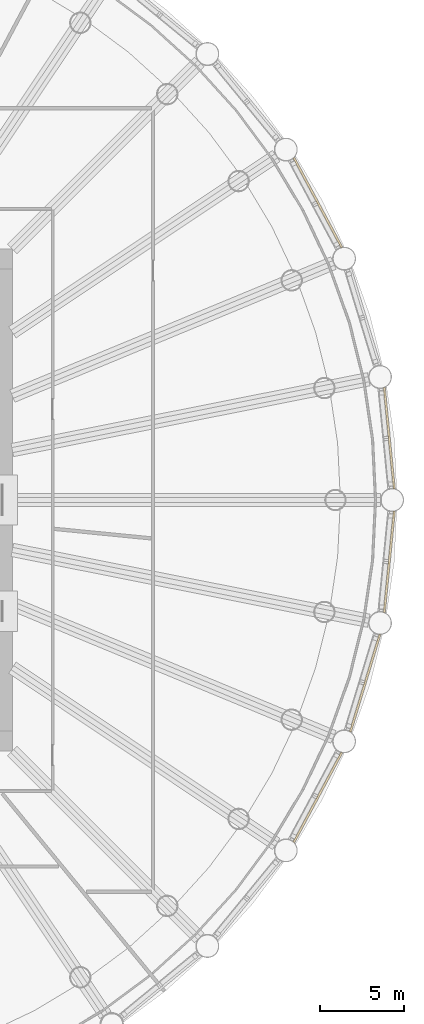
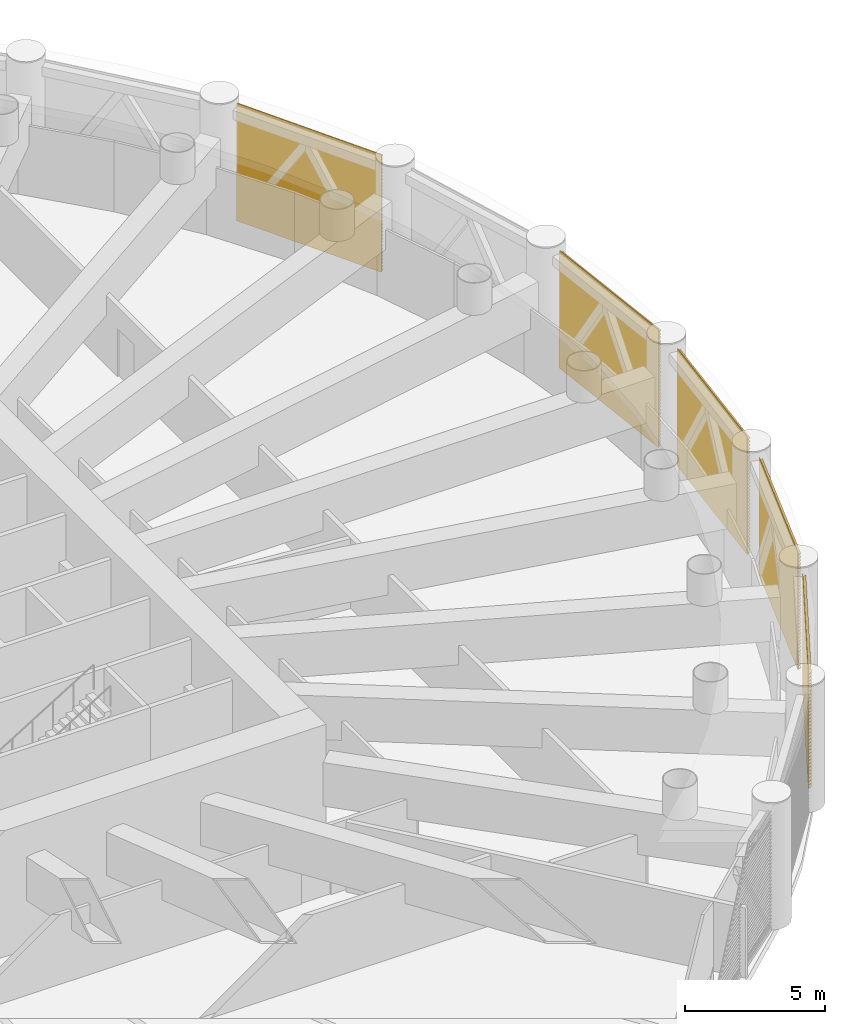
# One storey, part 24 of 26: 5 shading devices, 5 elements without a shape of their own.
"""IFC4 building model written with IfcOpenShell, lengths in metres."""

from ifc_helpers import new_model, si_unit, direction, frame, origin, place, context, subcontext, project, spatial, polyline, outline, extrude, material, material_profile, profile_set, type_object, element, aggregate, save


model = new_model("IFC4")

# Units and contexts
model_context = context("Model", 3, precision=1e-05, world=origin(), true_north=direction((0.0, 1.0)))
body_context = subcontext(model_context, "Body", "Model", "MODEL_VIEW")
ifc_project = project(units=[si_unit("LENGTHUNIT", "METRE"), si_unit("AREAUNIT", "SQUARE_METRE"), si_unit("VOLUMEUNIT", "CUBIC_METRE"), si_unit("PLANEANGLEUNIT", "RADIAN"), si_unit("MASSUNIT", "GRAM", prefix="KILO")], contexts=[model_context])

# Site, building, storey
site_placement = place(None, origin())
site = spatial("IfcSite", under=ifc_project, at=site_placement, CompositionType="ELEMENT")
building_placement = place(site_placement, origin())
building = spatial("IfcBuilding", under=site, at=building_placement, Name="Corvane Civic Tower", CompositionType="ELEMENT")
storey_placement = place(building_placement, frame((0.0, 0.0, 85.0)))
storey = spatial("IfcBuildingStorey", under=building, at=storey_placement, Name="L19", CompositionType="ELEMENT", Elevation=85.0)

# Curtain wall, shading device
ifc_material_1 = material(Name="Anodised aluminium bronze", Category="aluminium")
curtain_wall_type = type_object("IfcCurtainWallType", Name="TOWER CW-LV LOUVRE SCREEN WALL", PredefinedType="NOTDEFINED", material=ifc_material_1)
curtain_wall_1_placement = place(storey_placement, origin())
curtain_wall_1 = element("IfcCurtainWall", 1, at=curtain_wall_1_placement, inside=storey, type_object=curtain_wall_type, Name="Louvre screen wall CW-LV L19 bay 06", PredefinedType="NOTDEFINED")
ifc_material_2 = material(Name="Anodised aluminium bronze", Category="aluminium")
ifc_material_profile = material_profile(ifc_material_2, outline(polyline([(-0.06005859375, -2.56494140625), (-0.0400390625, -2.56494140625), (0.06005859375, -2.492919921875), (0.06005859375, -2.472900390625), (-0.0400390625, -2.544921875), (-0.0400390625, -2.4140625), (0.06005859375, -2.342041015625), (0.06005859375, -2.322021484375), (-0.0400390625, -2.39404296875), (-0.0400390625, -2.26318359375), (0.06005859375, -2.191162109375), (0.06005859375, -2.171142578125), (-0.0400390625, -2.2431640625), (-0.0400390625, -2.1123046875), (0.06005859375, -2.040283203125), (0.06005859375, -2.0205078125), (-0.0400390625, -2.09228515625), (-0.0400390625, -1.96142578125), (0.06005859375, -1.889404296875), (0.06005859375, -1.869384765625), (-0.0400390625, -1.94140625), (-0.0400390625, -1.810546875), (0.06005859375, -1.738525390625), (0.06005859375, -1.718505859375), (-0.0400390625, -1.79052734375), (-0.0400390625, -1.65966796875), (0.06005859375, -1.587646484375), (0.06005859375, -1.567626953125), (-0.0400390625, -1.6396484375), (-0.0400390625, -1.5087890625), (0.06005859375, -1.436767578125), (0.06005859375, -1.416748046875), (-0.0400390625, -1.48876953125), (-0.0400390625, -1.35791015625), (0.06005859375, -1.285888671875), (0.06005859375, -1.265869140625), (-0.0400390625, -1.337890625), (-0.0400390625, -1.20703125), (0.06005859375, -1.135009765625), (0.06005859375, -1.114990234375), (-0.0400390625, -1.18701171875), (-0.0400390625, -1.05615234375), (0.06005859375, -0.984130859375), (0.06005859375, -0.964111328125), (-0.0400390625, -1.0361328125), (-0.0400390625, -0.9052734375), (0.06005859375, -0.833251953125), (0.06005859375, -0.813232421875), (-0.0400390625, -0.88525390625), (-0.0400390625, -0.75439453125), (0.06005859375, -0.682373046875), (0.06005859375, -0.662353515625), (-0.0400390625, -0.734375), (-0.0400390625, -0.603515625), (0.06005859375, -0.531494140625), (0.06005859375, -0.511474609375), (-0.0400390625, -0.58349609375), (-0.0400390625, -0.45263671875), (0.06005859375, -0.380615234375), (0.06005859375, -0.360595703125), (-0.0400390625, -0.4326171875), (-0.0400390625, -0.3017578125), (0.06005859375, -0.229736328125), (0.06005859375, -0.209716796875), (-0.0400390625, -0.28173828125), (-0.0400390625, -0.15087890625), (0.06005859375, -0.078857421875), (0.06005859375, -0.058837890625), (-0.0400390625, -0.130859375), (-0.0400390625, 0.0), (0.06005859375, 0.072021484375), (0.06005859375, 0.092041015625), (-0.0400390625, 0.02001953125), (-0.0400390625, 0.15087890625), (0.06005859375, 0.222900390625), (0.06005859375, 0.242919921875), (-0.0400390625, 0.1708984375), (-0.0400390625, 0.3017578125), (0.06005859375, 0.373779296875), (0.06005859375, 0.393798828125), (-0.0400390625, 0.32177734375), (-0.0400390625, 0.45263671875), (0.06005859375, 0.524658203125), (0.06005859375, 0.544677734375), (-0.0400390625, 0.47265625), (-0.0400390625, 0.603515625), (0.06005859375, 0.675537109375), (0.06005859375, 0.695556640625), (-0.0400390625, 0.62353515625), (-0.0400390625, 0.75439453125), (0.06005859375, 0.826416015625), (0.06005859375, 0.846435546875), (-0.0400390625, 0.7744140625), (-0.0400390625, 0.9052734375), (0.06005859375, 0.977294921875), (0.06005859375, 0.997314453125), (-0.0400390625, 0.92529296875), (-0.0400390625, 1.05615234375), (0.06005859375, 1.128173828125), (0.06005859375, 1.148193359375), (-0.0400390625, 1.076171875), (-0.0400390625, 1.20703125), (0.06005859375, 1.279052734375), (0.06005859375, 1.299072265625), (-0.0400390625, 1.22705078125), (-0.0400390625, 1.35791015625), (0.06005859375, 1.429931640625), (0.06005859375, 1.449951171875), (-0.0400390625, 1.3779296875), (-0.0400390625, 1.5087890625), (0.06005859375, 1.580810546875), (0.06005859375, 1.600830078125), (-0.0400390625, 1.52880859375), (-0.0400390625, 1.65966796875), (0.06005859375, 1.731689453125), (0.06005859375, 1.751708984375), (-0.0400390625, 1.6796875), (-0.0400390625, 1.810546875), (0.06005859375, 1.882568359375), (0.06005859375, 1.902587890625), (-0.0400390625, 1.83056640625), (-0.0400390625, 1.96142578125), (0.06005859375, 2.033447265625), (0.06005859375, 2.053466796875), (-0.0400390625, 1.9814453125), (-0.0400390625, 2.1123046875), (0.06005859375, 2.184326171875), (0.06005859375, 2.204345703125), (-0.0400390625, 2.13232421875), (-0.0400390625, 2.26318359375), (0.06005859375, 2.335205078125), (0.06005859375, 2.355224609375), (-0.0400390625, 2.283203125), (-0.0400390625, 2.4140625), (0.06005859375, 2.486083984375), (0.06005859375, 2.506103515625), (-0.0400390625, 2.43408203125), (-0.0400390625, 2.56494140625), (-0.06005859375, 2.56494140625), (-0.06005859375, -2.56494140625)])), Name="TOWER LOUVRE BANK 5130 BRONZE")
ifc_profile_set = profile_set([ifc_material_profile], Name="Anodised aluminium bronze")
shading_device_type = type_object("IfcShadingDeviceType", Name="TOWER LOUVRE BANK 5130 BRONZE", PredefinedType="USERDEFINED", material=ifc_profile_set)
shading_device_1_placement = place(storey_placement, frame((31.809326171875, 20.459228515625, 2.68505859375), z_axis=(0.47137780817, -0.881931381664, 0.0), x_axis=(0.881931381664, 0.47137780817, 0.0)))
shading_device_1 = element("IfcShadingDevice", 2, at=shading_device_1_placement, type_object=shading_device_type, Name="Louvre bank L19 06.1", ObjectType="LOUVRE", PredefinedType="USERDEFINED", context=body_context, shape_type="SweptSolid", body=[
    extrude(outline(polyline([(-0.06005859375, -2.56494140625), (-0.0400390625, -2.56494140625), (0.06005859375, -2.492919921875), (0.06005859375, -2.472900390625), (-0.0400390625, -2.544921875), (-0.0400390625, -2.4140625), (0.06005859375, -2.342041015625), (0.06005859375, -2.322021484375), (-0.0400390625, -2.39404296875), (-0.0400390625, -2.26318359375), (0.06005859375, -2.191162109375), (0.06005859375, -2.171142578125), (-0.0400390625, -2.2431640625), (-0.0400390625, -2.1123046875), (0.06005859375, -2.040283203125), (0.06005859375, -2.0205078125), (-0.0400390625, -2.09228515625), (-0.0400390625, -1.96142578125), (0.06005859375, -1.889404296875), (0.06005859375, -1.869384765625), (-0.0400390625, -1.94140625), (-0.0400390625, -1.810546875), (0.06005859375, -1.738525390625), (0.06005859375, -1.718505859375), (-0.0400390625, -1.79052734375), (-0.0400390625, -1.65966796875), (0.06005859375, -1.587646484375), (0.06005859375, -1.567626953125), (-0.0400390625, -1.6396484375), (-0.0400390625, -1.5087890625), (0.06005859375, -1.436767578125), (0.06005859375, -1.416748046875), (-0.0400390625, -1.48876953125), (-0.0400390625, -1.35791015625), (0.06005859375, -1.285888671875), (0.06005859375, -1.265869140625), (-0.0400390625, -1.337890625), (-0.0400390625, -1.20703125), (0.06005859375, -1.135009765625), (0.06005859375, -1.114990234375), (-0.0400390625, -1.18701171875), (-0.0400390625, -1.05615234375), (0.06005859375, -0.984130859375), (0.06005859375, -0.964111328125), (-0.0400390625, -1.0361328125), (-0.0400390625, -0.9052734375), (0.06005859375, -0.833251953125), (0.06005859375, -0.813232421875), (-0.0400390625, -0.88525390625), (-0.0400390625, -0.75439453125), (0.06005859375, -0.682373046875), (0.06005859375, -0.662353515625), (-0.0400390625, -0.734375), (-0.0400390625, -0.603515625), (0.06005859375, -0.531494140625), (0.06005859375, -0.511474609375), (-0.0400390625, -0.58349609375), (-0.0400390625, -0.45263671875), (0.06005859375, -0.380615234375), (0.06005859375, -0.360595703125), (-0.0400390625, -0.4326171875), (-0.0400390625, -0.3017578125), (0.06005859375, -0.229736328125), (0.06005859375, -0.209716796875), (-0.0400390625, -0.28173828125), (-0.0400390625, -0.15087890625), (0.06005859375, -0.078857421875), (0.06005859375, -0.058837890625), (-0.0400390625, -0.130859375), (-0.0400390625, 0.0), (0.06005859375, 0.072021484375), (0.06005859375, 0.092041015625), (-0.0400390625, 0.02001953125), (-0.0400390625, 0.15087890625), (0.06005859375, 0.222900390625), (0.06005859375, 0.242919921875), (-0.0400390625, 0.1708984375), (-0.0400390625, 0.3017578125), (0.06005859375, 0.373779296875), (0.06005859375, 0.393798828125), (-0.0400390625, 0.32177734375), (-0.0400390625, 0.45263671875), (0.06005859375, 0.524658203125), (0.06005859375, 0.544677734375), (-0.0400390625, 0.47265625), (-0.0400390625, 0.603515625), (0.06005859375, 0.675537109375), (0.06005859375, 0.695556640625), (-0.0400390625, 0.62353515625), (-0.0400390625, 0.75439453125), (0.06005859375, 0.826416015625), (0.06005859375, 0.846435546875), (-0.0400390625, 0.7744140625), (-0.0400390625, 0.9052734375), (0.06005859375, 0.977294921875), (0.06005859375, 0.997314453125), (-0.0400390625, 0.92529296875), (-0.0400390625, 1.05615234375), (0.06005859375, 1.128173828125), (0.06005859375, 1.148193359375), (-0.0400390625, 1.076171875), (-0.0400390625, 1.20703125), (0.06005859375, 1.279052734375), (0.06005859375, 1.299072265625), (-0.0400390625, 1.22705078125), (-0.0400390625, 1.35791015625), (0.06005859375, 1.429931640625), (0.06005859375, 1.449951171875), (-0.0400390625, 1.3779296875), (-0.0400390625, 1.5087890625), (0.06005859375, 1.580810546875), (0.06005859375, 1.600830078125), (-0.0400390625, 1.52880859375), (-0.0400390625, 1.65966796875), (0.06005859375, 1.731689453125), (0.06005859375, 1.751708984375), (-0.0400390625, 1.6796875), (-0.0400390625, 1.810546875), (0.06005859375, 1.882568359375), (0.06005859375, 1.902587890625), (-0.0400390625, 1.83056640625), (-0.0400390625, 1.96142578125), (0.06005859375, 2.033447265625), (0.06005859375, 2.053466796875), (-0.0400390625, 1.9814453125), (-0.0400390625, 2.1123046875), (0.06005859375, 2.184326171875), (0.06005859375, 2.204345703125), (-0.0400390625, 2.13232421875), (-0.0400390625, 2.26318359375), (0.06005859375, 2.335205078125), (0.06005859375, 2.355224609375), (-0.0400390625, 2.283203125), (-0.0400390625, 2.4140625), (0.06005859375, 2.486083984375), (0.06005859375, 2.506103515625), (-0.0400390625, 2.43408203125), (-0.0400390625, 2.56494140625), (-0.06005859375, 2.56494140625), (-0.06005859375, -2.56494140625)])), origin(), (0.0, 0.0, 1.0), 6.09716796875),
])
aggregate(curtain_wall_1, [shading_device_1])

curtain_wall_2_placement = place(storey_placement, origin())
curtain_wall_2 = element("IfcCurtainWall", 3, at=curtain_wall_2_placement, inside=storey, type_object=curtain_wall_type, Name="Louvre screen wall CW-LV L19 bay 08", PredefinedType="NOTDEFINED")
shading_device_2_placement = place(storey_placement, frame((37.21728515625, 6.72900390625, 2.68505859375), z_axis=(0.097981237525, -0.995188262136, 0.0), x_axis=(0.995188262136, 0.097981237525, 0.0)))
shading_device_2 = element("IfcShadingDevice", 4, at=shading_device_2_placement, type_object=shading_device_type, Name="Louvre bank L19 08.1", ObjectType="LOUVRE", PredefinedType="USERDEFINED", context=body_context, shape_type="SweptSolid", body=[
    extrude(outline(polyline([(-0.06005859375, -2.56494140625), (-0.0400390625, -2.56494140625), (0.06005859375, -2.492919921875), (0.06005859375, -2.472900390625), (-0.0400390625, -2.544921875), (-0.0400390625, -2.4140625), (0.06005859375, -2.342041015625), (0.06005859375, -2.322021484375), (-0.0400390625, -2.39404296875), (-0.0400390625, -2.26318359375), (0.06005859375, -2.191162109375), (0.06005859375, -2.171142578125), (-0.0400390625, -2.2431640625), (-0.0400390625, -2.1123046875), (0.06005859375, -2.040283203125), (0.06005859375, -2.0205078125), (-0.0400390625, -2.09228515625), (-0.0400390625, -1.96142578125), (0.06005859375, -1.889404296875), (0.06005859375, -1.869384765625), (-0.0400390625, -1.94140625), (-0.0400390625, -1.810546875), (0.06005859375, -1.738525390625), (0.06005859375, -1.718505859375), (-0.0400390625, -1.79052734375), (-0.0400390625, -1.65966796875), (0.06005859375, -1.587646484375), (0.06005859375, -1.567626953125), (-0.0400390625, -1.6396484375), (-0.0400390625, -1.5087890625), (0.06005859375, -1.436767578125), (0.06005859375, -1.416748046875), (-0.0400390625, -1.48876953125), (-0.0400390625, -1.35791015625), (0.06005859375, -1.285888671875), (0.06005859375, -1.265869140625), (-0.0400390625, -1.337890625), (-0.0400390625, -1.20703125), (0.06005859375, -1.135009765625), (0.06005859375, -1.114990234375), (-0.0400390625, -1.18701171875), (-0.0400390625, -1.05615234375), (0.06005859375, -0.984130859375), (0.06005859375, -0.964111328125), (-0.0400390625, -1.0361328125), (-0.0400390625, -0.9052734375), (0.06005859375, -0.833251953125), (0.06005859375, -0.813232421875), (-0.0400390625, -0.88525390625), (-0.0400390625, -0.75439453125), (0.06005859375, -0.682373046875), (0.06005859375, -0.662353515625), (-0.0400390625, -0.734375), (-0.0400390625, -0.603515625), (0.06005859375, -0.531494140625), (0.06005859375, -0.511474609375), (-0.0400390625, -0.58349609375), (-0.0400390625, -0.45263671875), (0.06005859375, -0.380615234375), (0.06005859375, -0.360595703125), (-0.0400390625, -0.4326171875), (-0.0400390625, -0.3017578125), (0.06005859375, -0.229736328125), (0.06005859375, -0.209716796875), (-0.0400390625, -0.28173828125), (-0.0400390625, -0.15087890625), (0.06005859375, -0.078857421875), (0.06005859375, -0.058837890625), (-0.0400390625, -0.130859375), (-0.0400390625, 0.0), (0.06005859375, 0.072021484375), (0.06005859375, 0.092041015625), (-0.0400390625, 0.02001953125), (-0.0400390625, 0.15087890625), (0.06005859375, 0.222900390625), (0.06005859375, 0.242919921875), (-0.0400390625, 0.1708984375), (-0.0400390625, 0.3017578125), (0.06005859375, 0.373779296875), (0.06005859375, 0.393798828125), (-0.0400390625, 0.32177734375), (-0.0400390625, 0.45263671875), (0.06005859375, 0.524658203125), (0.06005859375, 0.544677734375), (-0.0400390625, 0.47265625), (-0.0400390625, 0.603515625), (0.06005859375, 0.675537109375), (0.06005859375, 0.695556640625), (-0.0400390625, 0.62353515625), (-0.0400390625, 0.75439453125), (0.06005859375, 0.826416015625), (0.06005859375, 0.846435546875), (-0.0400390625, 0.7744140625), (-0.0400390625, 0.9052734375), (0.06005859375, 0.977294921875), (0.06005859375, 0.997314453125), (-0.0400390625, 0.92529296875), (-0.0400390625, 1.05615234375), (0.06005859375, 1.128173828125), (0.06005859375, 1.148193359375), (-0.0400390625, 1.076171875), (-0.0400390625, 1.20703125), (0.06005859375, 1.279052734375), (0.06005859375, 1.299072265625), (-0.0400390625, 1.22705078125), (-0.0400390625, 1.35791015625), (0.06005859375, 1.429931640625), (0.06005859375, 1.449951171875), (-0.0400390625, 1.3779296875), (-0.0400390625, 1.5087890625), (0.06005859375, 1.580810546875), (0.06005859375, 1.600830078125), (-0.0400390625, 1.52880859375), (-0.0400390625, 1.65966796875), (0.06005859375, 1.731689453125), (0.06005859375, 1.751708984375), (-0.0400390625, 1.6796875), (-0.0400390625, 1.810546875), (0.06005859375, 1.882568359375), (0.06005859375, 1.902587890625), (-0.0400390625, 1.83056640625), (-0.0400390625, 1.96142578125), (0.06005859375, 2.033447265625), (0.06005859375, 2.053466796875), (-0.0400390625, 1.9814453125), (-0.0400390625, 2.1123046875), (0.06005859375, 2.184326171875), (0.06005859375, 2.204345703125), (-0.0400390625, 2.13232421875), (-0.0400390625, 2.26318359375), (0.06005859375, 2.335205078125), (0.06005859375, 2.355224609375), (-0.0400390625, 2.283203125), (-0.0400390625, 2.4140625), (0.06005859375, 2.486083984375), (0.06005859375, 2.506103515625), (-0.0400390625, 2.43408203125), (-0.0400390625, 2.56494140625), (-0.06005859375, 2.56494140625), (-0.06005859375, -2.56494140625)])), origin(), (0.0, 0.0, 1.0), 6.09716796875),
])
aggregate(curtain_wall_2, [shading_device_2])

curtain_wall_3_placement = place(storey_placement, origin())
curtain_wall_3 = element("IfcCurtainWall", 5, at=curtain_wall_3_placement, inside=storey, type_object=curtain_wall_type, Name="Louvre screen wall CW-LV L19 bay 09", PredefinedType="NOTDEFINED")
shading_device_3_placement = place(storey_placement, frame((37.814697265625, -0.6611328125, 2.68505859375), z_axis=(-0.097981237525, -0.995188262136, 0.0), x_axis=(0.995188262136, -0.097981237525, 0.0)))
shading_device_3 = element("IfcShadingDevice", 6, at=shading_device_3_placement, type_object=shading_device_type, Name="Louvre bank L19 09.1", ObjectType="LOUVRE", PredefinedType="USERDEFINED", context=body_context, shape_type="SweptSolid", body=[
    extrude(outline(polyline([(-0.06005859375, -2.56494140625), (-0.0400390625, -2.56494140625), (0.06005859375, -2.492919921875), (0.06005859375, -2.472900390625), (-0.0400390625, -2.544921875), (-0.0400390625, -2.4140625), (0.06005859375, -2.342041015625), (0.06005859375, -2.322021484375), (-0.0400390625, -2.39404296875), (-0.0400390625, -2.26318359375), (0.06005859375, -2.191162109375), (0.06005859375, -2.171142578125), (-0.0400390625, -2.2431640625), (-0.0400390625, -2.1123046875), (0.06005859375, -2.040283203125), (0.06005859375, -2.0205078125), (-0.0400390625, -2.09228515625), (-0.0400390625, -1.96142578125), (0.06005859375, -1.889404296875), (0.06005859375, -1.869384765625), (-0.0400390625, -1.94140625), (-0.0400390625, -1.810546875), (0.06005859375, -1.738525390625), (0.06005859375, -1.718505859375), (-0.0400390625, -1.79052734375), (-0.0400390625, -1.65966796875), (0.06005859375, -1.587646484375), (0.06005859375, -1.567626953125), (-0.0400390625, -1.6396484375), (-0.0400390625, -1.5087890625), (0.06005859375, -1.436767578125), (0.06005859375, -1.416748046875), (-0.0400390625, -1.48876953125), (-0.0400390625, -1.35791015625), (0.06005859375, -1.285888671875), (0.06005859375, -1.265869140625), (-0.0400390625, -1.337890625), (-0.0400390625, -1.20703125), (0.06005859375, -1.135009765625), (0.06005859375, -1.114990234375), (-0.0400390625, -1.18701171875), (-0.0400390625, -1.05615234375), (0.06005859375, -0.984130859375), (0.06005859375, -0.964111328125), (-0.0400390625, -1.0361328125), (-0.0400390625, -0.9052734375), (0.06005859375, -0.833251953125), (0.06005859375, -0.813232421875), (-0.0400390625, -0.88525390625), (-0.0400390625, -0.75439453125), (0.06005859375, -0.682373046875), (0.06005859375, -0.662353515625), (-0.0400390625, -0.734375), (-0.0400390625, -0.603515625), (0.06005859375, -0.531494140625), (0.06005859375, -0.511474609375), (-0.0400390625, -0.58349609375), (-0.0400390625, -0.45263671875), (0.06005859375, -0.380615234375), (0.06005859375, -0.360595703125), (-0.0400390625, -0.4326171875), (-0.0400390625, -0.3017578125), (0.06005859375, -0.229736328125), (0.06005859375, -0.209716796875), (-0.0400390625, -0.28173828125), (-0.0400390625, -0.15087890625), (0.06005859375, -0.078857421875), (0.06005859375, -0.058837890625), (-0.0400390625, -0.130859375), (-0.0400390625, 0.0), (0.06005859375, 0.072021484375), (0.06005859375, 0.092041015625), (-0.0400390625, 0.02001953125), (-0.0400390625, 0.15087890625), (0.06005859375, 0.222900390625), (0.06005859375, 0.242919921875), (-0.0400390625, 0.1708984375), (-0.0400390625, 0.3017578125), (0.06005859375, 0.373779296875), (0.06005859375, 0.393798828125), (-0.0400390625, 0.32177734375), (-0.0400390625, 0.45263671875), (0.06005859375, 0.524658203125), (0.06005859375, 0.544677734375), (-0.0400390625, 0.47265625), (-0.0400390625, 0.603515625), (0.06005859375, 0.675537109375), (0.06005859375, 0.695556640625), (-0.0400390625, 0.62353515625), (-0.0400390625, 0.75439453125), (0.06005859375, 0.826416015625), (0.06005859375, 0.846435546875), (-0.0400390625, 0.7744140625), (-0.0400390625, 0.9052734375), (0.06005859375, 0.977294921875), (0.06005859375, 0.997314453125), (-0.0400390625, 0.92529296875), (-0.0400390625, 1.05615234375), (0.06005859375, 1.128173828125), (0.06005859375, 1.148193359375), (-0.0400390625, 1.076171875), (-0.0400390625, 1.20703125), (0.06005859375, 1.279052734375), (0.06005859375, 1.299072265625), (-0.0400390625, 1.22705078125), (-0.0400390625, 1.35791015625), (0.06005859375, 1.429931640625), (0.06005859375, 1.449951171875), (-0.0400390625, 1.3779296875), (-0.0400390625, 1.5087890625), (0.06005859375, 1.580810546875), (0.06005859375, 1.600830078125), (-0.0400390625, 1.52880859375), (-0.0400390625, 1.65966796875), (0.06005859375, 1.731689453125), (0.06005859375, 1.751708984375), (-0.0400390625, 1.6796875), (-0.0400390625, 1.810546875), (0.06005859375, 1.882568359375), (0.06005859375, 1.902587890625), (-0.0400390625, 1.83056640625), (-0.0400390625, 1.96142578125), (0.06005859375, 2.033447265625), (0.06005859375, 2.053466796875), (-0.0400390625, 1.9814453125), (-0.0400390625, 2.1123046875), (0.06005859375, 2.184326171875), (0.06005859375, 2.204345703125), (-0.0400390625, 2.13232421875), (-0.0400390625, 2.26318359375), (0.06005859375, 2.335205078125), (0.06005859375, 2.355224609375), (-0.0400390625, 2.283203125), (-0.0400390625, 2.4140625), (0.06005859375, 2.486083984375), (0.06005859375, 2.506103515625), (-0.0400390625, 2.43408203125), (-0.0400390625, 2.56494140625), (-0.06005859375, 2.56494140625), (-0.06005859375, -2.56494140625)])), origin(), (0.0, 0.0, 1.0), 6.09716796875),
])
aggregate(curtain_wall_3, [shading_device_3])

curtain_wall_4_placement = place(storey_placement, origin())
curtain_wall_4 = element("IfcCurtainWall", 7, at=curtain_wall_4_placement, inside=storey, type_object=curtain_wall_type, Name="Louvre screen wall CW-LV L19 bay 10", PredefinedType="NOTDEFINED")
shading_device_4_placement = place(storey_placement, frame((36.959228515625, -8.02587890625, 2.68505859375), z_axis=(-0.29027077816, -0.956944551866, 0.0), x_axis=(0.956944551866, -0.29027077816, 0.0)))
shading_device_4 = element("IfcShadingDevice", 8, at=shading_device_4_placement, type_object=shading_device_type, Name="Louvre bank L19 10.1", ObjectType="LOUVRE", PredefinedType="USERDEFINED", context=body_context, shape_type="SweptSolid", body=[
    extrude(outline(polyline([(-0.06005859375, -2.56494140625), (-0.0400390625, -2.56494140625), (0.06005859375, -2.492919921875), (0.06005859375, -2.472900390625), (-0.0400390625, -2.544921875), (-0.0400390625, -2.4140625), (0.06005859375, -2.342041015625), (0.06005859375, -2.322021484375), (-0.0400390625, -2.39404296875), (-0.0400390625, -2.26318359375), (0.06005859375, -2.191162109375), (0.06005859375, -2.171142578125), (-0.0400390625, -2.2431640625), (-0.0400390625, -2.1123046875), (0.06005859375, -2.040283203125), (0.06005859375, -2.0205078125), (-0.0400390625, -2.09228515625), (-0.0400390625, -1.96142578125), (0.06005859375, -1.889404296875), (0.06005859375, -1.869384765625), (-0.0400390625, -1.94140625), (-0.0400390625, -1.810546875), (0.06005859375, -1.738525390625), (0.06005859375, -1.718505859375), (-0.0400390625, -1.79052734375), (-0.0400390625, -1.65966796875), (0.06005859375, -1.587646484375), (0.06005859375, -1.567626953125), (-0.0400390625, -1.6396484375), (-0.0400390625, -1.5087890625), (0.06005859375, -1.436767578125), (0.06005859375, -1.416748046875), (-0.0400390625, -1.48876953125), (-0.0400390625, -1.35791015625), (0.06005859375, -1.285888671875), (0.06005859375, -1.265869140625), (-0.0400390625, -1.337890625), (-0.0400390625, -1.20703125), (0.06005859375, -1.135009765625), (0.06005859375, -1.114990234375), (-0.0400390625, -1.18701171875), (-0.0400390625, -1.05615234375), (0.06005859375, -0.984130859375), (0.06005859375, -0.964111328125), (-0.0400390625, -1.0361328125), (-0.0400390625, -0.9052734375), (0.06005859375, -0.833251953125), (0.06005859375, -0.813232421875), (-0.0400390625, -0.88525390625), (-0.0400390625, -0.75439453125), (0.06005859375, -0.682373046875), (0.06005859375, -0.662353515625), (-0.0400390625, -0.734375), (-0.0400390625, -0.603515625), (0.06005859375, -0.531494140625), (0.06005859375, -0.511474609375), (-0.0400390625, -0.58349609375), (-0.0400390625, -0.45263671875), (0.06005859375, -0.380615234375), (0.06005859375, -0.360595703125), (-0.0400390625, -0.4326171875), (-0.0400390625, -0.3017578125), (0.06005859375, -0.229736328125), (0.06005859375, -0.209716796875), (-0.0400390625, -0.28173828125), (-0.0400390625, -0.15087890625), (0.06005859375, -0.078857421875), (0.06005859375, -0.058837890625), (-0.0400390625, -0.130859375), (-0.0400390625, 0.0), (0.06005859375, 0.072021484375), (0.06005859375, 0.092041015625), (-0.0400390625, 0.02001953125), (-0.0400390625, 0.15087890625), (0.06005859375, 0.222900390625), (0.06005859375, 0.242919921875), (-0.0400390625, 0.1708984375), (-0.0400390625, 0.3017578125), (0.06005859375, 0.373779296875), (0.06005859375, 0.393798828125), (-0.0400390625, 0.32177734375), (-0.0400390625, 0.45263671875), (0.06005859375, 0.524658203125), (0.06005859375, 0.544677734375), (-0.0400390625, 0.47265625), (-0.0400390625, 0.603515625), (0.06005859375, 0.675537109375), (0.06005859375, 0.695556640625), (-0.0400390625, 0.62353515625), (-0.0400390625, 0.75439453125), (0.06005859375, 0.826416015625), (0.06005859375, 0.846435546875), (-0.0400390625, 0.7744140625), (-0.0400390625, 0.9052734375), (0.06005859375, 0.977294921875), (0.06005859375, 0.997314453125), (-0.0400390625, 0.92529296875), (-0.0400390625, 1.05615234375), (0.06005859375, 1.128173828125), (0.06005859375, 1.148193359375), (-0.0400390625, 1.076171875), (-0.0400390625, 1.20703125), (0.06005859375, 1.279052734375), (0.06005859375, 1.299072265625), (-0.0400390625, 1.22705078125), (-0.0400390625, 1.35791015625), (0.06005859375, 1.429931640625), (0.06005859375, 1.449951171875), (-0.0400390625, 1.3779296875), (-0.0400390625, 1.5087890625), (0.06005859375, 1.580810546875), (0.06005859375, 1.600830078125), (-0.0400390625, 1.52880859375), (-0.0400390625, 1.65966796875), (0.06005859375, 1.731689453125), (0.06005859375, 1.751708984375), (-0.0400390625, 1.6796875), (-0.0400390625, 1.810546875), (0.06005859375, 1.882568359375), (0.06005859375, 1.902587890625), (-0.0400390625, 1.83056640625), (-0.0400390625, 1.96142578125), (0.06005859375, 2.033447265625), (0.06005859375, 2.053466796875), (-0.0400390625, 1.9814453125), (-0.0400390625, 2.1123046875), (0.06005859375, 2.184326171875), (0.06005859375, 2.204345703125), (-0.0400390625, 2.13232421875), (-0.0400390625, 2.26318359375), (0.06005859375, 2.335205078125), (0.06005859375, 2.355224609375), (-0.0400390625, 2.283203125), (-0.0400390625, 2.4140625), (0.06005859375, 2.486083984375), (0.06005859375, 2.506103515625), (-0.0400390625, 2.43408203125), (-0.0400390625, 2.56494140625), (-0.06005859375, 2.56494140625), (-0.06005859375, -2.56494140625)])), origin(), (0.0, 0.0, 1.0), 6.096923828125),
])
aggregate(curtain_wall_4, [shading_device_4])

curtain_wall_5_placement = place(storey_placement, origin())
curtain_wall_5 = element("IfcCurtainWall", 9, at=curtain_wall_5_placement, inside=storey, type_object=curtain_wall_type, Name="Louvre screen wall CW-LV L19 bay 11", PredefinedType="NOTDEFINED")
shading_device_5_placement = place(storey_placement, frame((34.683349609375, -15.08203125, 2.68505859375), z_axis=(-0.47137780817, -0.881931381664, 0.0), x_axis=(0.881931381664, -0.47137780817, 0.0)))
shading_device_5 = element("IfcShadingDevice", 10, at=shading_device_5_placement, type_object=shading_device_type, Name="Louvre bank L19 11.1", ObjectType="LOUVRE", PredefinedType="USERDEFINED", context=body_context, shape_type="SweptSolid", body=[
    extrude(outline(polyline([(-0.06005859375, -2.56494140625), (-0.0400390625, -2.56494140625), (0.06005859375, -2.492919921875), (0.06005859375, -2.472900390625), (-0.0400390625, -2.544921875), (-0.0400390625, -2.4140625), (0.06005859375, -2.342041015625), (0.06005859375, -2.322021484375), (-0.0400390625, -2.39404296875), (-0.0400390625, -2.26318359375), (0.06005859375, -2.191162109375), (0.06005859375, -2.171142578125), (-0.0400390625, -2.2431640625), (-0.0400390625, -2.1123046875), (0.06005859375, -2.040283203125), (0.06005859375, -2.0205078125), (-0.0400390625, -2.09228515625), (-0.0400390625, -1.96142578125), (0.06005859375, -1.889404296875), (0.06005859375, -1.869384765625), (-0.0400390625, -1.94140625), (-0.0400390625, -1.810546875), (0.06005859375, -1.738525390625), (0.06005859375, -1.718505859375), (-0.0400390625, -1.79052734375), (-0.0400390625, -1.65966796875), (0.06005859375, -1.587646484375), (0.06005859375, -1.567626953125), (-0.0400390625, -1.6396484375), (-0.0400390625, -1.5087890625), (0.06005859375, -1.436767578125), (0.06005859375, -1.416748046875), (-0.0400390625, -1.48876953125), (-0.0400390625, -1.35791015625), (0.06005859375, -1.285888671875), (0.06005859375, -1.265869140625), (-0.0400390625, -1.337890625), (-0.0400390625, -1.20703125), (0.06005859375, -1.135009765625), (0.06005859375, -1.114990234375), (-0.0400390625, -1.18701171875), (-0.0400390625, -1.05615234375), (0.06005859375, -0.984130859375), (0.06005859375, -0.964111328125), (-0.0400390625, -1.0361328125), (-0.0400390625, -0.9052734375), (0.06005859375, -0.833251953125), (0.06005859375, -0.813232421875), (-0.0400390625, -0.88525390625), (-0.0400390625, -0.75439453125), (0.06005859375, -0.682373046875), (0.06005859375, -0.662353515625), (-0.0400390625, -0.734375), (-0.0400390625, -0.603515625), (0.06005859375, -0.531494140625), (0.06005859375, -0.511474609375), (-0.0400390625, -0.58349609375), (-0.0400390625, -0.45263671875), (0.06005859375, -0.380615234375), (0.06005859375, -0.360595703125), (-0.0400390625, -0.4326171875), (-0.0400390625, -0.3017578125), (0.06005859375, -0.229736328125), (0.06005859375, -0.209716796875), (-0.0400390625, -0.28173828125), (-0.0400390625, -0.15087890625), (0.06005859375, -0.078857421875), (0.06005859375, -0.058837890625), (-0.0400390625, -0.130859375), (-0.0400390625, 0.0), (0.06005859375, 0.072021484375), (0.06005859375, 0.092041015625), (-0.0400390625, 0.02001953125), (-0.0400390625, 0.15087890625), (0.06005859375, 0.222900390625), (0.06005859375, 0.242919921875), (-0.0400390625, 0.1708984375), (-0.0400390625, 0.3017578125), (0.06005859375, 0.373779296875), (0.06005859375, 0.393798828125), (-0.0400390625, 0.32177734375), (-0.0400390625, 0.45263671875), (0.06005859375, 0.524658203125), (0.06005859375, 0.544677734375), (-0.0400390625, 0.47265625), (-0.0400390625, 0.603515625), (0.06005859375, 0.675537109375), (0.06005859375, 0.695556640625), (-0.0400390625, 0.62353515625), (-0.0400390625, 0.75439453125), (0.06005859375, 0.826416015625), (0.06005859375, 0.846435546875), (-0.0400390625, 0.7744140625), (-0.0400390625, 0.9052734375), (0.06005859375, 0.977294921875), (0.06005859375, 0.997314453125), (-0.0400390625, 0.92529296875), (-0.0400390625, 1.05615234375), (0.06005859375, 1.128173828125), (0.06005859375, 1.148193359375), (-0.0400390625, 1.076171875), (-0.0400390625, 1.20703125), (0.06005859375, 1.279052734375), (0.06005859375, 1.299072265625), (-0.0400390625, 1.22705078125), (-0.0400390625, 1.35791015625), (0.06005859375, 1.429931640625), (0.06005859375, 1.449951171875), (-0.0400390625, 1.3779296875), (-0.0400390625, 1.5087890625), (0.06005859375, 1.580810546875), (0.06005859375, 1.600830078125), (-0.0400390625, 1.52880859375), (-0.0400390625, 1.65966796875), (0.06005859375, 1.731689453125), (0.06005859375, 1.751708984375), (-0.0400390625, 1.6796875), (-0.0400390625, 1.810546875), (0.06005859375, 1.882568359375), (0.06005859375, 1.902587890625), (-0.0400390625, 1.83056640625), (-0.0400390625, 1.96142578125), (0.06005859375, 2.033447265625), (0.06005859375, 2.053466796875), (-0.0400390625, 1.9814453125), (-0.0400390625, 2.1123046875), (0.06005859375, 2.184326171875), (0.06005859375, 2.204345703125), (-0.0400390625, 2.13232421875), (-0.0400390625, 2.26318359375), (0.06005859375, 2.335205078125), (0.06005859375, 2.355224609375), (-0.0400390625, 2.283203125), (-0.0400390625, 2.4140625), (0.06005859375, 2.486083984375), (0.06005859375, 2.506103515625), (-0.0400390625, 2.43408203125), (-0.0400390625, 2.56494140625), (-0.06005859375, 2.56494140625), (-0.06005859375, -2.56494140625)])), origin(), (0.0, 0.0, 1.0), 6.09716796875),
])
aggregate(curtain_wall_5, [shading_device_5])

save(model, "model.ifc")
